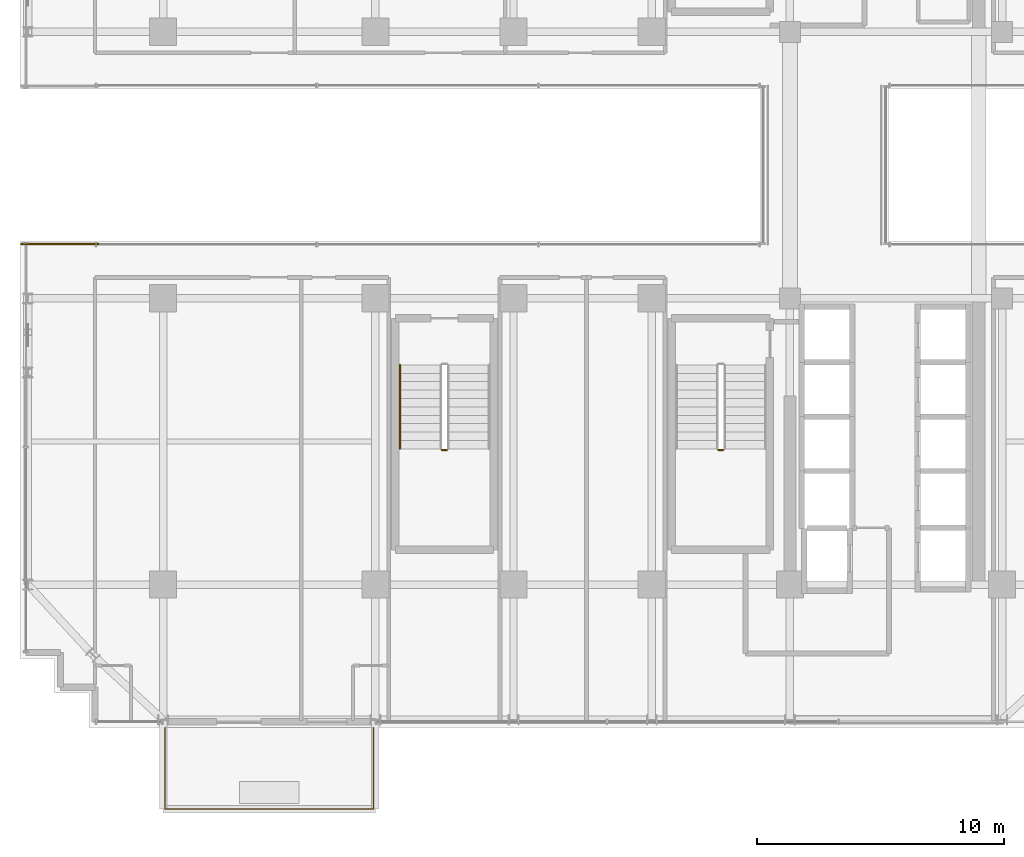
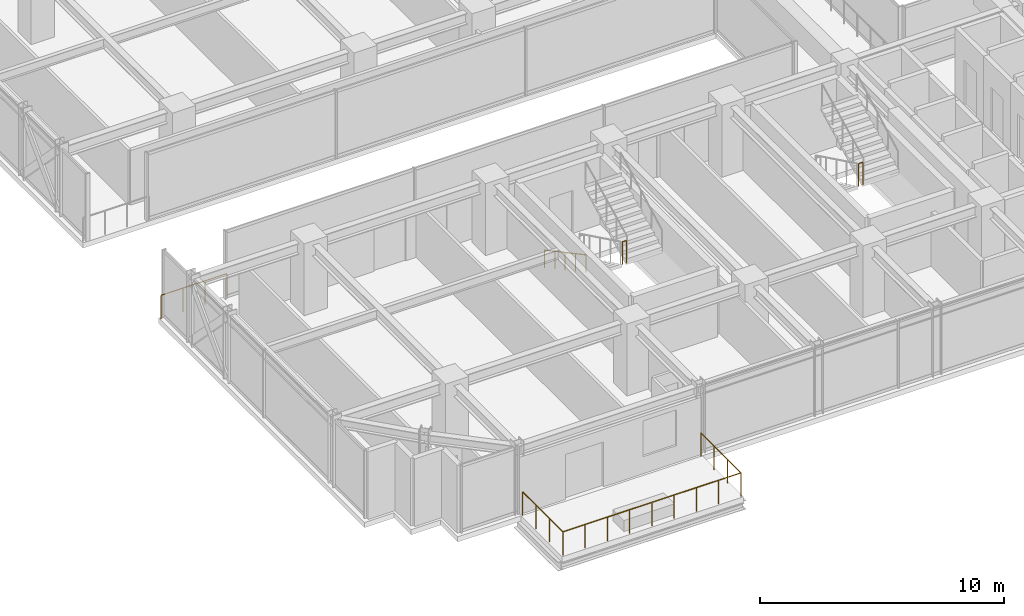
# One storey, part 35 of 38: 5 railings.
"""IFC4 building model written with IfcOpenShell, lengths in metres."""

from ifc_helpers import new_model, si_unit, direction, frame, origin, origin_2d, place, context, subcontext, project, spatial, circle, extrude, material, type_object, element, save


model = new_model("IFC4")

# Units and contexts
model_context = context("Model", 3, precision=1e-05, world=origin(), true_north=direction((0.0, 1.0)))
body_context = subcontext(model_context, "Body", "Model", "MODEL_VIEW")
ifc_project = project(units=[si_unit("LENGTHUNIT", "METRE"), si_unit("AREAUNIT", "SQUARE_METRE"), si_unit("VOLUMEUNIT", "CUBIC_METRE"), si_unit("PLANEANGLEUNIT", "RADIAN"), si_unit("MASSUNIT", "GRAM", prefix="KILO")], contexts=[model_context])

# Site, building, storey
site_placement = place(None, origin())
site = spatial("IfcSite", under=ifc_project, at=site_placement, CompositionType="ELEMENT")
building_placement = place(site_placement, origin())
building = spatial("IfcBuilding", under=site, at=building_placement, Name="Nahalor Promenade Grand Hotel", CompositionType="ELEMENT")
storey_placement = place(building_placement, frame((0.0, 0.0, 178.199951171875)))
storey = spatial("IfcBuildingStorey", under=building, at=storey_placement, Name="L45", CompositionType="ELEMENT", Elevation=178.199951171875)

# Railings
ifc_material_1 = material(Name="Anodised Bronze Aluminium EN AW-6063 T6", Category="aluminium")
railing_type_1 = type_object("IfcRailingType", Name="Bronze Balcony Guardrail 1200 mm", PredefinedType="GUARDRAIL", material=ifc_material_1)
railing_1_placement = place(storey_placement, frame((-22.739990234375, -3.199951171875, 0.0)))
element("IfcRailing", 1, at=railing_1_placement, inside=storey, type_object=railing_type_1, Name="L45 Oculus Void Edge Guardrail WS", PredefinedType="GUARDRAIL", context=body_context, shape_type="SweptSolid", body=[
    extrude(circle(Radius=0.024048, at=origin_2d()), frame((0.0, 0.0, 1.17578125), z_axis=(1.0, 0.0, 0.0), x_axis=(0.0, 1.0, 0.0)), (0.0, 0.0, 1.0), 3.119873046875),
    extrude(circle(Radius=0.020996, at=origin_2d()), origin(), (0.0, 0.0, 1.0), 1.14990234375),
    extrude(circle(Radius=0.020996, at=origin_2d()), frame((1.0400390625, 0.0, 0.0)), (0.0, 0.0, 1.0), 1.14990234375),
    extrude(circle(Radius=0.020996, at=origin_2d()), frame((2.079833984375, 0.0, 0.0)), (0.0, 0.0, 1.0), 1.14990234375),
    extrude(circle(Radius=0.020996, at=origin_2d()), frame((3.119873046875, 0.0, 0.0)), (0.0, 0.0, 1.0), 1.14990234375),
])
railing_2_placement = place(storey_placement, frame((-16.919921875, -22.800048828125, 0.0)))
element("IfcRailing", 2, at=railing_2_placement, inside=storey, type_object=railing_type_1, Name="L45 Balcony Guardrail 1", PredefinedType="GUARDRAIL", context=body_context, shape_type="SweptSolid", body=[
    extrude(circle(Radius=0.024048, at=origin_2d()), frame((0.0, 0.0, 1.17578125), z_axis=(0.0, -1.0, 0.0), x_axis=(1.0, 0.0, 0.0)), (0.0, 0.0, 1.0), 3.298095703125),
    extrude(circle(Radius=0.024048, at=origin_2d()), frame((0.001953125, -3.300048828125, 1.17578125), z_axis=(1.0, 0.0, 0.0), x_axis=(0.0, 1.0, 0.0)), (0.0, 0.0, 1.0), 8.43603515625),
    extrude(circle(Radius=0.024048, at=origin_2d()), frame((8.43994140625, -3.298095703125, 1.17578125), z_axis=(0.0, 1.0, 0.0), x_axis=(-1.0, 0.0, 0.0)), (0.0, 0.0, 1.0), 3.298095703125),
    extrude(circle(Radius=0.020996, at=origin_2d()), origin(), (0.0, 0.0, 1.0), 1.14990234375),
    extrude(circle(Radius=0.020996, at=origin_2d()), frame((0.0, -1.10009765625, 0.0)), (0.0, 0.0, 1.0), 1.14990234375),
    extrude(circle(Radius=0.020996, at=origin_2d()), frame((0.0, -2.199951171875, 0.0)), (0.0, 0.0, 1.0), 1.14990234375),
    extrude(circle(Radius=0.020996, at=origin_2d()), frame((0.0, -3.300048828125, 0.0)), (0.0, 0.0, 1.0), 1.14990234375),
    extrude(circle(Radius=0.020996, at=origin_2d()), frame((1.054931640625, -3.300048828125, 0.0)), (0.0, 0.0, 1.0), 1.14990234375),
    extrude(circle(Radius=0.020996, at=origin_2d()), frame((2.10986328125, -3.300048828125, 0.0)), (0.0, 0.0, 1.0), 1.14990234375),
    extrude(circle(Radius=0.020996, at=origin_2d()), frame((3.1650390625, -3.300048828125, 0.0)), (0.0, 0.0, 1.0), 1.14990234375),
    extrude(circle(Radius=0.020996, at=origin_2d()), frame((4.219970703125, -3.300048828125, 0.0)), (0.0, 0.0, 1.0), 1.14990234375),
    extrude(circle(Radius=0.020996, at=origin_2d()), frame((5.27490234375, -3.300048828125, 0.0)), (0.0, 0.0, 1.0), 1.14990234375),
    extrude(circle(Radius=0.020996, at=origin_2d()), frame((6.330078125, -3.300048828125, 0.0)), (0.0, 0.0, 1.0), 1.14990234375),
    extrude(circle(Radius=0.020996, at=origin_2d()), frame((7.385009765625, -3.300048828125, 0.0)), (0.0, 0.0, 1.0), 1.14990234375),
    extrude(circle(Radius=0.020996, at=origin_2d()), frame((8.43994140625, -3.300048828125, 0.0)), (0.0, 0.0, 1.0), 1.14990234375),
    extrude(circle(Radius=0.020996, at=origin_2d()), frame((8.43994140625, -2.199951171875, 0.0)), (0.0, 0.0, 1.0), 1.14990234375),
    extrude(circle(Radius=0.020996, at=origin_2d()), frame((8.43994140625, -1.10009765625, 0.0)), (0.0, 0.0, 1.0), 1.14990234375),
    extrude(circle(Radius=0.020996, at=origin_2d()), frame((8.43994140625, 0.0, 0.0)), (0.0, 0.0, 1.0), 1.14990234375),
])
ifc_material_2 = material(Name="Steel S355JR", Category="steel")
railing_type_2 = type_object("IfcRailingType", Name="Steel Stair Guardrail 1150 mm", PredefinedType="GUARDRAIL", material=ifc_material_2)
for number, where, name in (
    (3, (5.5, -11.550048828125, 1.824951171875), "L45 ST2 stair guard 2"),
    (4, (-5.699951171875, -11.550048828125, 1.824951171875), "L45 ST3 stair guard 2"),
):
    element("IfcRailing", number, at=place(storey_placement, frame(where)), inside=storey, type_object=railing_type_2, Name=name, PredefinedType="GUARDRAIL", context=body_context, shape_type="SweptSolid", body=[
        extrude(circle(Radius=0.024048, at=origin_2d()), frame((0.0, 0.0, 1.1259765625), z_axis=(1.0, 0.0, 0.0), x_axis=(0.0, 1.0, 0.0)), (0.0, 0.0, 1.0), 0.199951171875),
        extrude(circle(Radius=0.020996, at=origin_2d()), origin(), (0.0, 0.0, 1.0), 1.099853515625),
        extrude(circle(Radius=0.020996, at=origin_2d()), frame((0.199951171875, 0.0, 0.0)), (0.0, 0.0, 1.0), 1.099853515625),
    ])
railing_type_3 = type_object("IfcRailingType", Name="Steel Stair Handrail 900 mm", PredefinedType="HANDRAIL", material=ifc_material_2)
railing_3_placement = place(storey_placement, frame((-7.39990234375, -8.10009765625, 0.166015625)))
element("IfcRailing", 5, at=railing_3_placement, inside=storey, type_object=railing_type_3, Name="L45 ST3 stair handrail 1", PredefinedType="HANDRAIL", context=body_context, shape_type="SweptSolid", body=[
    extrude(circle(Radius=0.024048, at=origin_2d()), frame((0.0, 0.0, 0.8759765625), z_axis=(0.0, -0.881094038095, 0.47294111265), x_axis=(1.0, 0.0, 0.0)), (0.0, 0.0, 1.0), 3.858642578125),
    extrude(circle(Radius=0.020996, at=origin_2d()), origin(), (0.0, 0.0, 1.0), 0.849853515625),
    extrude(circle(Radius=0.020996, at=origin_2d()), frame((0.0, -0.85009765625, 0.456298828125)), (0.0, 0.0, 1.0), 0.849853515625),
    extrude(circle(Radius=0.020996, at=origin_2d()), frame((0.0, -1.699951171875, 0.91259765625)), (0.0, 0.0, 1.0), 0.849853515625),
    extrude(circle(Radius=0.020996, at=origin_2d()), frame((0.0, -2.5498046875, 1.36865234375)), (0.0, 0.0, 1.0), 0.849853515625),
    extrude(circle(Radius=0.020996, at=origin_2d()), frame((0.0, -3.39990234375, 1.824951171875)), (0.0, 0.0, 1.0), 0.849853515625),
])

save(model, "model.ifc")
